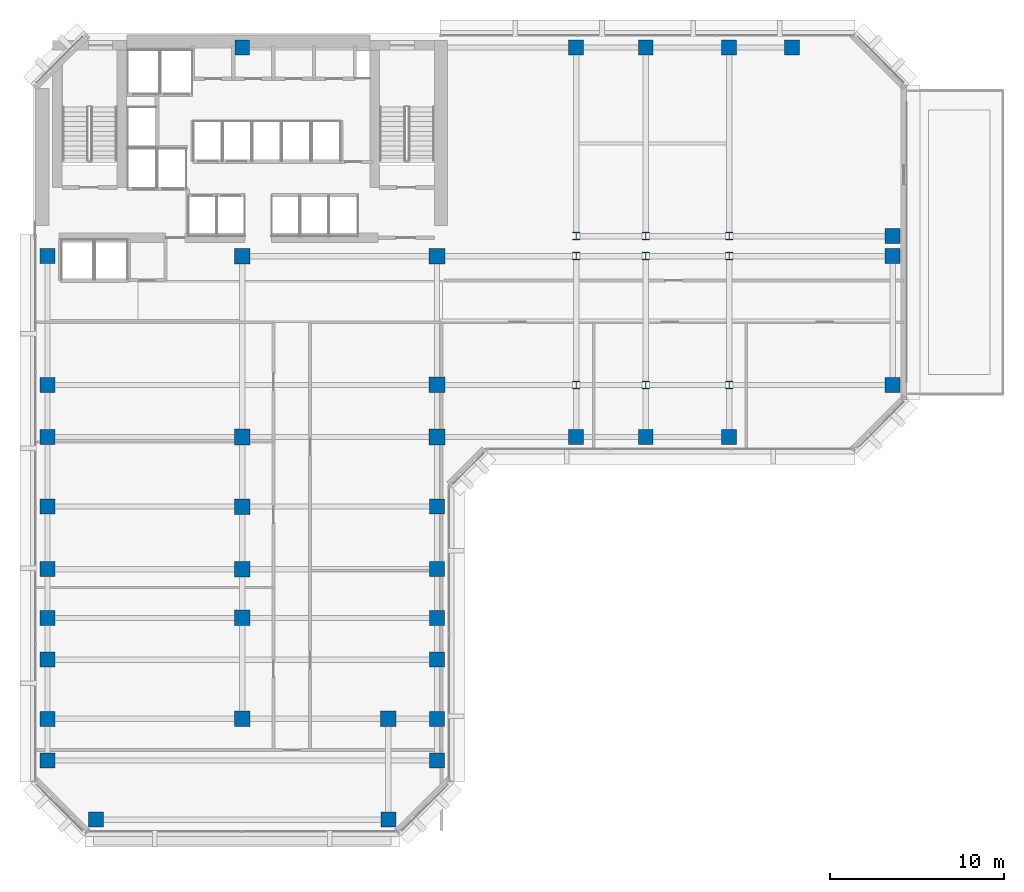
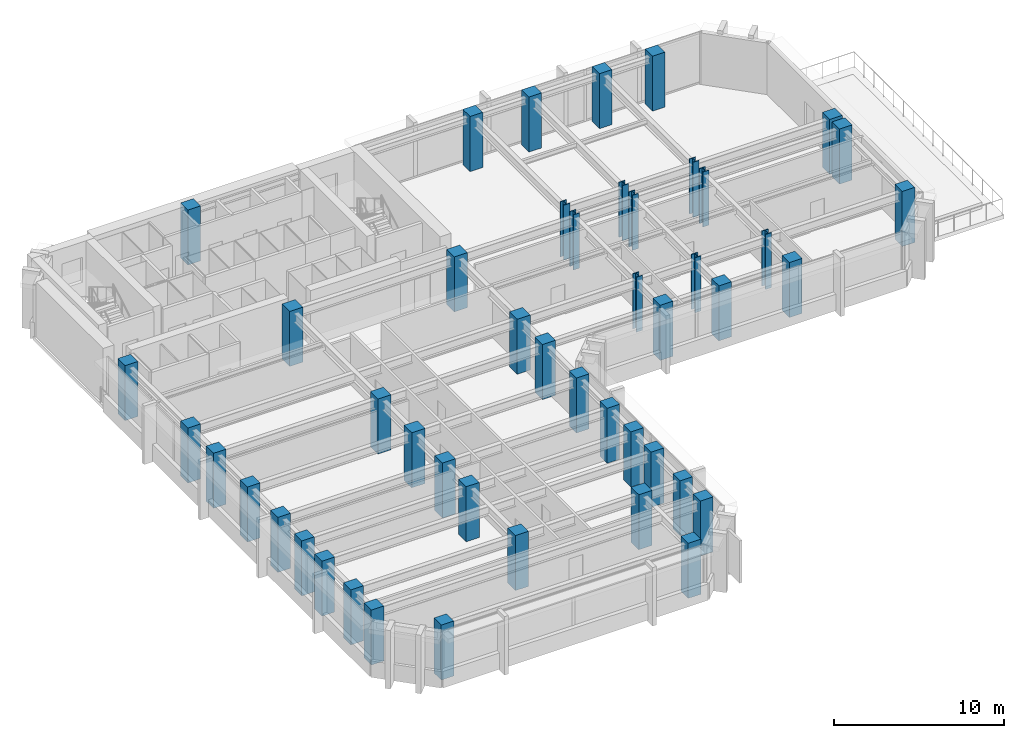
# One storey, part 1 of 12: 47 columns.
"""IFC4 building model written with IfcOpenShell, lengths in metres."""

from ifc_helpers import new_model, si_unit, direction, frame, origin, origin_2d, place, context, subcontext, project, spatial, rectangle, i_section, extrude, material, material_profile, profile_set, type_object, element, save


model = new_model("IFC4")

# Units and contexts
model_context = context("Model", 3, precision=1e-05, world=origin(), true_north=direction((0.0, 1.0)))
body_context = subcontext(model_context, "Body", "Model", "MODEL_VIEW")
ifc_project = project(units=[si_unit("LENGTHUNIT", "METRE"), si_unit("AREAUNIT", "SQUARE_METRE"), si_unit("VOLUMEUNIT", "CUBIC_METRE"), si_unit("PLANEANGLEUNIT", "RADIAN"), si_unit("MASSUNIT", "GRAM", prefix="KILO")], contexts=[model_context])

# Site, building, storey
site_placement = place(None, origin())
site = spatial("IfcSite", under=ifc_project, at=site_placement, CompositionType="ELEMENT")
building_placement = place(site_placement, origin())
building = spatial("IfcBuilding", under=site, at=building_placement, Name="Kefirva Bronze Tower", CompositionType="ELEMENT")
storey_placement = place(building_placement, frame((0.0, 0.0, 110.550048828125)))
storey = spatial("IfcBuildingStorey", under=building, at=storey_placement, Name="L26", CompositionType="ELEMENT", Elevation=110.550048828125)

# Columns
ifc_material_1 = material(Name="Concrete C60/75", Category="concrete")
ifc_material_profile_1 = material_profile(ifc_material_1, rectangle(XDim=0.860107421875, YDim=0.860107421875, at=origin_2d()), Name="RC 860x860")
ifc_profile_set_1 = profile_set([ifc_material_profile_1], Name="Concrete C60/75")
column_type_1 = type_object("IfcColumnType", Name="RC Column 860x860 Ext", PredefinedType="COLUMN", material=ifc_profile_set_1)
for number, where, z_axis, x_axis, name in (
    (1, (0.800048828125, 4.199951171875, 0.0), (0.0, 0.0, 1.0), (1.0, 0.0, 0.0), "L26 Column C008_042"),
    (2, (0.800048828125, 6.60009765625, 0.0), (0.0, 0.0, 1.0), (1.0, 0.0, 0.0), "L26 Column C008_066"),
    (3, (0.800048828125, 10.0, 0.0), (0.0, 0.0, 1.0), (1.0, 0.0, 0.0), "L26 Column C008_100"),
    (4, (0.800048828125, 12.39990234375, 0.0), (0.0, 0.0, 1.0), (1.0, 0.0, 0.0), "L26 Column C008_124"),
    (5, (0.800048828125, 15.199951171875, 0.0), (0.0, 0.0, 1.0), (1.0, 0.0, 0.0), "L26 Column C008_152"),
    (6, (0.800048828125, 18.800048828125, 0.0), (0.0, 0.0, 1.0), (1.0, 0.0, 0.0), "L26 Column C008_188"),
    (7, (0.800048828125, 22.800048828125, 0.0), (0.0, 0.0, 1.0), (1.0, 0.0, 0.0), "L26 Column C008_228"),
    (8, (0.800048828125, 25.800048828125, 0.0), (0.0, 0.0, 1.0), (1.0, 0.0, 0.0), "L26 Column C008_258"),
    (9, (0.800048828125, 33.199951171875, 0.0), (0.0, 0.0, 1.0), (1.0, 0.0, 0.0), "L26 Column C008_332"),
    (10, (3.60009765625, 0.800048828125, 0.0), (0.0, 0.0, 1.0), (1.0, 0.0, 0.0), "L26 Column C036_008"),
    (11, (12.0, 45.199951171875, 0.0), (0.0, 0.0, 1.0), (1.0, 0.0, 0.0), "L26 Column C120_452"),
    (12, (20.39990234375, 0.800048828125, 0.0), (0.0, 0.0, 1.0), (1.0, 0.0, 0.0), "L26 Column C204_008"),
    (13, (23.199951171875, 4.199951171875, 0.0), (0.0, 0.0, 1.0), (1.0, 0.0, 0.0), "L26 Column C232_042"),
    (14, (23.199951171875, 6.60009765625, 0.0), (0.0, 0.0, 1.0), (1.0, 0.0, 0.0), "L26 Column C232_066"),
    (15, (23.199951171875, 10.0, 0.0), (0.0, 0.0, 1.0), (1.0, 0.0, 0.0), "L26 Column C232_100"),
    (16, (23.199951171875, 12.39990234375, 0.0), (0.0, 0.0, 1.0), (1.0, 0.0, 0.0), "L26 Column C232_124"),
    (17, (23.199951171875, 15.199951171875, 0.0), (0.0, 0.0, 1.0), (1.0, 0.0, 0.0), "L26 Column C232_152"),
    (18, (23.199951171875, 18.800048828125, 0.0), (0.0, 0.0, 1.0), (1.0, 0.0, 0.0), "L26 Column C232_188"),
    (19, (31.199951171875, 22.800048828125, 0.0), (0.0, 0.0, 1.0), (1.0, 0.0, 0.0), "L26 Column C312_228"),
    (20, (31.199951171875, 45.199951171875, 0.0), (0.0, 0.0, 1.0), (1.0, 0.0, 0.0), "L26 Column C312_452"),
    (21, (35.199951171875, 22.800048828125, 0.0), (0.0, 0.0, 1.0), (1.0, 0.0, 0.0), "L26 Column C352_228"),
    (22, (35.199951171875, 45.199951171875, 0.0), (0.0, 0.0, 1.0), (1.0, 0.0, 0.0), "L26 Column C352_452"),
    (23, (40.0, 22.800048828125, 0.0), (0.0, 0.0, 1.0), (1.0, 0.0, 0.0), "L26 Column C400_228"),
    (24, (40.0, 45.199951171875, 0.0), (0.0, 0.0, 1.0), (1.0, 0.0, 0.0), "L26 Column C400_452"),
    (25, (43.60009765625, 45.199951171875, 0.0), (0.0, 0.0, 1.0), (1.0, 0.0, 0.0), "L26 Column C436_452"),
    (26, (49.39990234375, 25.800048828125, 0.0), (0.0, 0.0, 1.0), (1.0, 0.0, 0.0), "L26 Column C494_258"),
    (27, (49.39990234375, 33.199951171875, 0.0), (0.0, 0.0, 1.0), (1.0, 0.0, 0.0), "L26 Column C494_332"),
    (28, (49.39990234375, 34.35009765625, 0.0), (0.0, 0.0, 1.0), (1.0, 0.0, 0.0), "L26 Column C494_344"),
):
    element("IfcColumn", number, at=place(storey_placement, frame(where, z_axis=z_axis, x_axis=x_axis)), inside=storey, type_object=column_type_1, Name=name, PredefinedType="COLUMN", context=body_context, shape_type="SweptSolid", body=[
        extrude(rectangle(XDim=0.860107421875, YDim=0.860107421875, at=origin_2d()), origin(), (0.0, 0.0, 1.0), 3.9599609375),
    ])
ifc_material_profile_2 = material_profile(ifc_material_1, rectangle(XDim=0.89990234375, YDim=0.89990234375, at=origin_2d()), Name="RC 900x900")
ifc_profile_set_2 = profile_set([ifc_material_profile_2], Name="Concrete C60/75")
column_type_2 = type_object("IfcColumnType", Name="RC Column 900x900 Int", PredefinedType="COLUMN", material=ifc_profile_set_2)
for number, where, z_axis, x_axis, name in (
    (29, (12.0, 6.60009765625, 0.0), (0.0, 0.0, 1.0), (1.0, 0.0, 0.0), "L26 Column C120_066"),
    (30, (12.0, 12.39990234375, 0.0), (0.0, 0.0, 1.0), (1.0, 0.0, 0.0), "L26 Column C120_124"),
    (31, (12.0, 15.199951171875, 0.0), (0.0, 0.0, 1.0), (1.0, 0.0, 0.0), "L26 Column C120_152"),
    (32, (12.0, 18.800048828125, 0.0), (0.0, 0.0, 1.0), (1.0, 0.0, 0.0), "L26 Column C120_188"),
    (33, (12.0, 22.800048828125, 0.0), (0.0, 0.0, 1.0), (1.0, 0.0, 0.0), "L26 Column C120_228"),
    (34, (12.0, 33.199951171875, 0.0), (0.0, 0.0, 1.0), (1.0, 0.0, 0.0), "L26 Column C120_332"),
    (35, (20.39990234375, 6.60009765625, 0.0), (0.0, 0.0, 1.0), (1.0, 0.0, 0.0), "L26 Column C204_066"),
    (36, (23.199951171875, 22.800048828125, 0.0), (0.0, 0.0, 1.0), (1.0, 0.0, 0.0), "L26 Column C232_228"),
    (37, (23.199951171875, 25.800048828125, 0.0), (0.0, 0.0, 1.0), (1.0, 0.0, 0.0), "L26 Column C232_258"),
    (38, (23.199951171875, 33.199951171875, 0.0), (0.0, 0.0, 1.0), (1.0, 0.0, 0.0), "L26 Column C232_332"),
):
    element("IfcColumn", number, at=place(storey_placement, frame(where, z_axis=z_axis, x_axis=x_axis)), inside=storey, type_object=column_type_2, Name=name, PredefinedType="COLUMN", context=body_context, shape_type="SweptSolid", body=[
        extrude(rectangle(XDim=0.89990234375, YDim=0.89990234375, at=origin_2d()), origin(), (0.0, 0.0, 1.0), 3.9599609375),
    ])
ifc_material_2 = material(Name="Steel S460", Category="steel")
ifc_material_profile_3 = material_profile(ifc_material_2, i_section(OverallWidth=0.41796875, OverallDepth=0.455078125, WebThickness=0.031982421875, FlangeThickness=0.051025390625, at=origin_2d()), Name="HD 400x551")
ifc_profile_set_3 = profile_set([ifc_material_profile_3], Name="Steel S460")
column_type_3 = type_object("IfcColumnType", Name="Steel Column HD 400x551", PredefinedType="COLUMN", material=ifc_profile_set_3)
for number, where, z_axis, x_axis, name in (
    (39, (31.199951171875, 25.800048828125, 0.0), (0.0, 0.0, 1.0), (1.0, 0.0, 0.0), "L26 Column C312_258"),
    (40, (31.199951171875, 33.199951171875, 0.0), (0.0, 0.0, 1.0), (1.0, 0.0, 0.0), "L26 Column C312_332"),
    (41, (31.199951171875, 34.35009765625, 0.0), (0.0, 0.0, 1.0), (1.0, 0.0, 0.0), "L26 Column C312_344"),
    (42, (35.199951171875, 25.800048828125, 0.0), (0.0, 0.0, 1.0), (1.0, 0.0, 0.0), "L26 Column C352_258"),
    (43, (35.199951171875, 33.199951171875, 0.0), (0.0, 0.0, 1.0), (1.0, 0.0, 0.0), "L26 Column C352_332"),
    (44, (35.199951171875, 34.35009765625, 0.0), (0.0, 0.0, 1.0), (1.0, 0.0, 0.0), "L26 Column C352_344"),
    (45, (40.0, 25.800048828125, 0.0), (0.0, 0.0, 1.0), (1.0, 0.0, 0.0), "L26 Column C400_258"),
    (46, (40.0, 33.199951171875, 0.0), (0.0, 0.0, 1.0), (1.0, 0.0, 0.0), "L26 Column C400_332"),
    (47, (40.0, 34.35009765625, 0.0), (0.0, 0.0, 1.0), (1.0, 0.0, 0.0), "L26 Column C400_344"),
):
    element("IfcColumn", number, at=place(storey_placement, frame(where, z_axis=z_axis, x_axis=x_axis)), inside=storey, type_object=column_type_3, Name=name, PredefinedType="COLUMN", context=body_context, shape_type="SweptSolid", body=[
        extrude(i_section(OverallWidth=0.41796875, OverallDepth=0.455078125, WebThickness=0.031982421875, FlangeThickness=0.051025390625, at=origin_2d()), origin(), (0.0, 0.0, 1.0), 3.9599609375),
    ])

save(model, "model.ifc")
